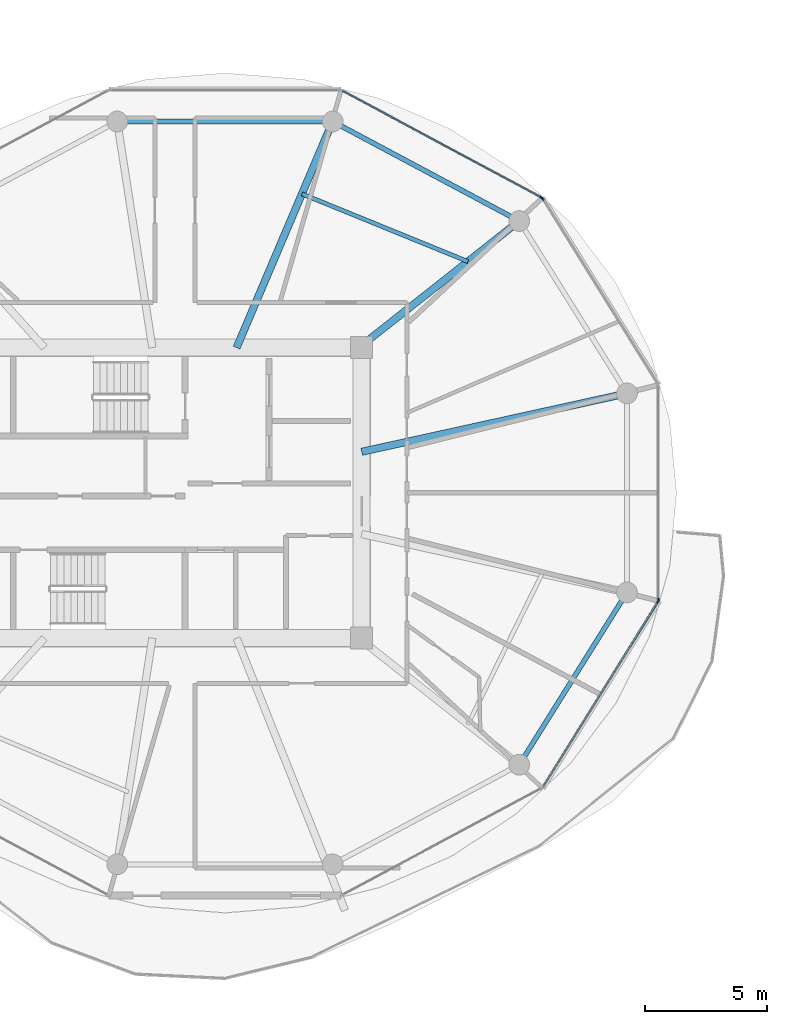
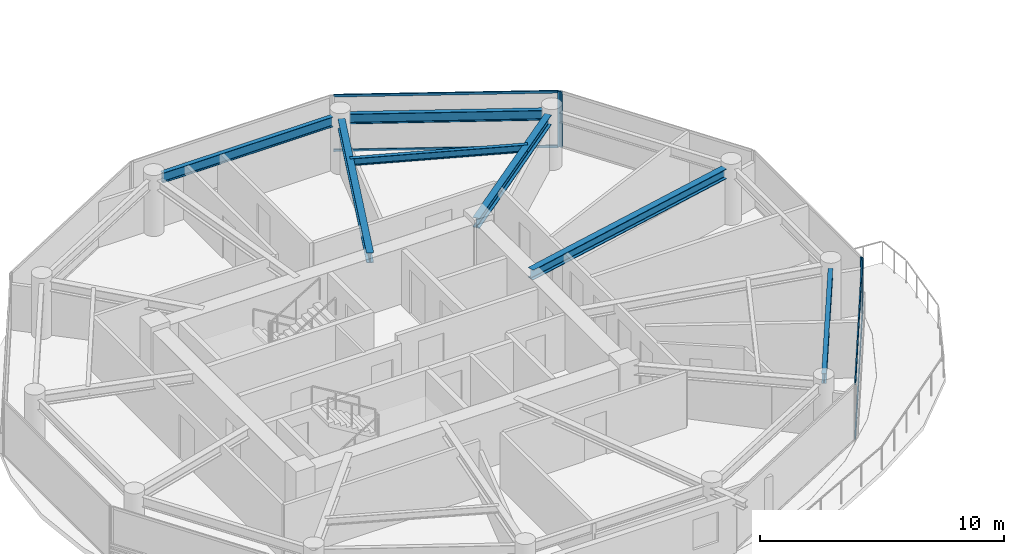
# One storey, part 5 of 24: 8 members, 7 beams, 4 elements without a shape of their own.
"""IFC4 building model written with IfcOpenShell, lengths in metres."""

from ifc_helpers import new_model, si_unit, direction, frame, origin, origin_2d, place, context, subcontext, project, spatial, rectangle, i_section, extrude, source, transform, mapped, material, layer, layer_set, material_profile, profile_set, type_object, type_shapes, element, aggregate, save


model = new_model("IFC4")

# Units and contexts
model_context = context("Model", 3, precision=1e-05, world=origin(), true_north=direction((0.0, 1.0)))
body_context = subcontext(model_context, "Body", "Model", "MODEL_VIEW")
ifc_project = project(units=[si_unit("LENGTHUNIT", "METRE"), si_unit("AREAUNIT", "SQUARE_METRE"), si_unit("VOLUMEUNIT", "CUBIC_METRE"), si_unit("PLANEANGLEUNIT", "RADIAN"), si_unit("MASSUNIT", "GRAM", prefix="KILO")], contexts=[model_context])

# Site, building, storey
site_placement = place(None, origin())
site = spatial("IfcSite", under=ifc_project, at=site_placement, CompositionType="ELEMENT")
building_placement = place(site_placement, origin())
building = spatial("IfcBuilding", under=site, at=building_placement, Name="Norrkilde Senior Care Towers", CompositionType="ELEMENT")
storey_placement = place(building_placement, frame((0.0, 0.0, 117.60009765625)))
storey = spatial("IfcBuildingStorey", under=building, at=storey_placement, Name="L36", CompositionType="ELEMENT", Elevation=117.60009765625)

# Beams
ifc_material_1 = material(Name="Steel S355", Category="steel")
ifc_material_profile_1 = material_profile(ifc_material_1, i_section(OverallWidth=0.199951171875, OverallDepth=0.5, WebThickness=0.01025390625, FlangeThickness=0.01611328125, FilletRadius=0.02099609375, at=origin_2d()), Name="IPE 500")
ifc_profile_set_1 = profile_set([ifc_material_profile_1], Name="Steel S355")
beam_type_1 = type_object("IfcBeamType", Name="Perimeter Ring Spandrel Z2 IPE500", PredefinedType="SPANDREL", material=ifc_profile_set_1)
shared_shape_1 = source(origin(), body_context, "Body", "SweptSolid", [
    extrude(i_section(OverallWidth=0.199951171875, OverallDepth=0.5, WebThickness=0.01025390625, FlangeThickness=0.01611328125, FilletRadius=0.02099609375, at=origin_2d()), origin(), (0.0, 0.0, 1.0), 7.55615234375),
])
beam_1_placement = place(storey_placement, frame((-13.689697265625, -10.810546875, 2.539794921875), z_axis=(0.529981514254, 0.848009194849, 0.0), x_axis=(-0.848009194849, 0.529981514254, 0.0)))
element("IfcBeam", 1, at=beam_1_placement, inside=storey, type_object=beam_type_1, Name="L36 Drum W Perimeter Spandrel 11", PredefinedType="SPANDREL", context=body_context, shape_type="MappedRepresentation", body=[
    mapped(shared_shape_1, transform((0.0, 0.0, 0.0), x_axis=(1.0, 0.0, 0.0), y_axis=(0.0, 1.0, 0.0), z_axis=(0.0, 0.0, 1.0), scale=1.0)),
])
ifc_material_profile_2 = material_profile(ifc_material_1, i_section(OverallWidth=0.300048828125, OverallDepth=0.5, WebThickness=0.014404296875, FlangeThickness=0.028076171875, FilletRadius=0.027099609375, at=origin_2d()), Name="HEB 500")
ifc_profile_set_2 = profile_set([ifc_material_profile_2], Name="Steel S355")
beam_type_2 = type_object("IfcBeamType", Name="Radial Floor Beam Z2 HEB500", PredefinedType="BEAM", material=ifc_profile_set_2)
shared_shape_2 = source(origin(), body_context, "Body", "SweptSolid", [
    extrude(i_section(OverallWidth=0.300048828125, OverallDepth=0.5, WebThickness=0.014404296875, FlangeThickness=0.028076171875, FilletRadius=0.027099609375, at=origin_2d()), origin(), (0.0, 0.0, 1.0), 10.744384765625),
])
beam_2_placement = place(storey_placement, frame((-20.35009765625, 1.683837890625, 2.539794921875), z_axis=(0.976618711422, 0.214978818724, 0.0), x_axis=(-0.214978818724, 0.976618711422, 0.0)))
element("IfcBeam", 2, at=beam_2_placement, inside=storey, type_object=beam_type_2, Name="L36 Drum W Radial Floor Beam 01", PredefinedType="BEAM", context=body_context, shape_type="MappedRepresentation", body=[
    mapped(shared_shape_2, transform((0.0, 0.0, 0.0), x_axis=(1.0, 0.0, 0.0), y_axis=(0.0, 1.0, 0.0), z_axis=(0.0, 0.0, 1.0), scale=1.0)),
])
shared_shape_3 = source(origin(), body_context, "Body", "SweptSolid", [
    extrude(i_section(OverallWidth=0.199951171875, OverallDepth=0.5, WebThickness=0.01025390625, FlangeThickness=0.01611328125, FilletRadius=0.02099609375, at=origin_2d()), origin(), (0.0, 0.0, 1.0), 7.892333984375),
])
beam_3_placement = place(storey_placement, frame((-14.233642578125, 11.318115234375, 2.539794921875), z_axis=(-0.882350372282, 0.47059305194, 0.0), x_axis=(-0.47059305194, -0.882350372282, 0.0)))
element("IfcBeam", 3, at=beam_3_placement, inside=storey, type_object=beam_type_1, Name="L36 Drum W Perimeter Spandrel 02", PredefinedType="SPANDREL", context=body_context, shape_type="MappedRepresentation", body=[
    mapped(shared_shape_3, transform((0.0, 0.0, 0.0), x_axis=(1.0, 0.0, 0.0), y_axis=(0.0, 1.0, 0.0), z_axis=(0.0, 0.0, 1.0), scale=1.0)),
])
shared_shape_4 = source(origin(), body_context, "Body", "SweptSolid", [
    extrude(i_section(OverallWidth=0.300048828125, OverallDepth=0.5, WebThickness=0.014404296875, FlangeThickness=0.028076171875, FilletRadius=0.027099609375, at=origin_2d()), origin(), (0.0, 0.0, 1.0), 7.985595703125),
])
beam_4_placement = place(storey_placement, frame((-20.463623046875, 5.949951171875, 2.539794921875), z_axis=(0.784858505144, 0.619675017169, 0.0), x_axis=(-0.619675017169, 0.784858505144, 0.0)))
element("IfcBeam", 4, at=beam_4_placement, inside=storey, type_object=beam_type_2, Name="L36 Drum W Radial Floor Beam 02", PredefinedType="BEAM", context=body_context, shape_type="MappedRepresentation", body=[
    mapped(shared_shape_4, transform((0.0, 0.0, 0.0), x_axis=(1.0, 0.0, 0.0), y_axis=(0.0, 1.0, 0.0), z_axis=(0.0, 0.0, 1.0), scale=1.0)),
])
shared_shape_5 = source(origin(), body_context, "Body", "SweptSolid", [
    extrude(i_section(OverallWidth=0.199951171875, OverallDepth=0.5, WebThickness=0.01025390625, FlangeThickness=0.01611328125, FilletRadius=0.02099609375, at=origin_2d()), origin(), (0.0, 0.0, 1.0), 8.0556640625),
])
type_shapes(beam_type_1, [shared_shape_1, shared_shape_3, shared_shape_5])
beam_5_placement = place(storey_placement, frame((-21.922119140625, 15.21337890625, 2.539794921875), z_axis=(-1.0, 0.0, 0.0), x_axis=(0.0, -1.0, 0.0)))
element("IfcBeam", 5, at=beam_5_placement, inside=storey, type_object=beam_type_1, Name="L36 Drum W Perimeter Spandrel 03", PredefinedType="SPANDREL", context=body_context, shape_type="MappedRepresentation", body=[
    mapped(shared_shape_5, transform((0.0, 0.0, 0.0), x_axis=(1.0, 0.0, 0.0), y_axis=(0.0, 1.0, 0.0), z_axis=(0.0, 0.0, 1.0), scale=1.0)),
])
shared_shape_6 = source(origin(), body_context, "Body", "SweptSolid", [
    extrude(i_section(OverallWidth=0.300048828125, OverallDepth=0.5, WebThickness=0.014404296875, FlangeThickness=0.028076171875, FilletRadius=0.027099609375, at=origin_2d()), origin(), (0.0, 0.0, 1.0), 9.679443359375),
])
type_shapes(beam_type_2, [shared_shape_2, shared_shape_4, shared_shape_6])
beam_6_placement = place(storey_placement, frame((-25.472412109375, 5.949951171875, 2.539794921875), z_axis=(0.390998033479, 0.920391513333, 0.0), x_axis=(-0.920391513333, 0.390998033479, 0.0)))
element("IfcBeam", 6, at=beam_6_placement, inside=storey, type_object=beam_type_2, Name="L36 Drum W Radial Floor Beam 03", PredefinedType="BEAM", context=body_context, shape_type="MappedRepresentation", body=[
    mapped(shared_shape_6, transform((0.0, 0.0, 0.0), x_axis=(1.0, 0.0, 0.0), y_axis=(0.0, 1.0, 0.0), z_axis=(0.0, 0.0, 1.0), scale=1.0)),
])
ifc_material_profile_3 = material_profile(ifc_material_1, i_section(OverallWidth=0.169921875, OverallDepth=0.360107421875, WebThickness=0.008056640625, FlangeThickness=0.0126953125, FilletRadius=0.01806640625, at=origin_2d()), Name="IPE 360")
ifc_profile_set_3 = profile_set([ifc_material_profile_3], Name="Steel S355")
beam_type_3 = type_object("IfcBeamType", Name="Secondary Floor Joist IPE360", PredefinedType="JOIST", material=ifc_profile_set_3)
shared_shape_7 = source(origin(), body_context, "Body", "SweptSolid", [
    extrude(i_section(OverallWidth=0.169921875, OverallDepth=0.360107421875, WebThickness=0.008056640625, FlangeThickness=0.0126953125, FilletRadius=0.01806640625, at=origin_2d()), origin(), (0.0, 0.0, 1.0), 7.343505859375),
])
type_shapes(beam_type_3, [shared_shape_7])
beam_7_placement = place(storey_placement, frame((-15.99609375, 9.47705078125, 2.60986328125), z_axis=(-0.926021784767, 0.377470070519, 0.0), x_axis=(-0.377470070519, -0.926021784767, 0.0)))
element("IfcBeam", 7, at=beam_7_placement, inside=storey, type_object=beam_type_3, Name="L36 Drum W Secondary Floor Joist 1", PredefinedType="JOIST", context=body_context, shape_type="MappedRepresentation", body=[
    mapped(shared_shape_7, transform((0.0, 0.0, 0.0), x_axis=(1.0, 0.0, 0.0), y_axis=(0.0, 1.0, 0.0), z_axis=(0.0, 0.0, 1.0), scale=1.0)),
])

# Curtain wall, member
ifc_material_2 = material(Name="Triple Low-E Insulated Glazing", Category="glass")
ifc_layer = layer(ifc_material_2, 0.195068359375)
ifc_layer_set = layer_set([ifc_layer], Name="Triple Low-E Insulated Glazing")
curtain_wall_type = type_object("IfcCurtainWallType", Name="CW3 Zone 2 Assisted Living Curtain Wall", PredefinedType="NOTDEFINED", material=ifc_layer_set)
curtain_wall_1_placement = place(storey_placement, origin())
curtain_wall_1 = element("IfcCurtainWall", 8, at=curtain_wall_1_placement, inside=storey, type_object=curtain_wall_type, Name="L36 Drum W Curtain Wall 00", PredefinedType="NOTDEFINED")
ifc_material_3 = material(Name="Anodised Aluminium", Category="aluminium")
ifc_material_profile_4 = material_profile(ifc_material_3, rectangle(XDim=0.06494140625, YDim=0.159912109375, at=origin_2d()), Name="ALU MULL 65x160")
ifc_profile_set_4 = profile_set([ifc_material_profile_4], Name="Anodised Aluminium")
member_type_1 = type_object("IfcMemberType", Name="Curtain Wall Mullion Z1-Z2 65x160", PredefinedType="MULLION", material=ifc_profile_set_4)
shared_shape_8 = source(origin(), body_context, "Body", "SweptSolid", [
    extrude(rectangle(XDim=0.06494140625, YDim=0.159912109375, at=origin_2d()), origin(), (0.0, 0.0, 1.0), 2.789794921875),
])
type_shapes(member_type_1, [shared_shape_8])
member_1_placement = place(storey_placement, frame((-12.936279296875, 12.0498046875, 0.0), z_axis=(0.0, 0.0, 1.0), x_axis=(0.849410171862, 0.527733228002, 0.0)))
member_1 = element("IfcMember", 9, at=member_1_placement, type_object=member_type_1, Name="CW-3 mullion 1", PredefinedType="MULLION", context=body_context, shape_type="MappedRepresentation", body=[
    mapped(shared_shape_8, transform((0.0, 0.0, 0.0), x_axis=(1.0, 0.0, 0.0), y_axis=(0.0, 1.0, 0.0), z_axis=(0.0, 0.0, 1.0), scale=1.0)),
])
aggregate(curtain_wall_1, [member_1])

curtain_wall_2_placement = place(storey_placement, origin())
curtain_wall_2 = element("IfcCurtainWall", 10, at=curtain_wall_2_placement, inside=storey, type_object=curtain_wall_type, Name="L36 Drum W Curtain Wall 01", PredefinedType="NOTDEFINED")
member_2_placement = place(storey_placement, frame((-12.98193359375, 12.0927734375, 0.0), z_axis=(0.0, 0.0, 1.0), x_axis=(0.472769402511, 0.881186184668, 0.0)))
member_2 = element("IfcMember", 11, at=member_2_placement, type_object=member_type_1, Name="CW-3 mullion 2", PredefinedType="MULLION", context=body_context, shape_type="MappedRepresentation", body=[
    mapped(shared_shape_8, transform((0.0, 0.0, 0.0), x_axis=(1.0, 0.0, 0.0), y_axis=(0.0, 1.0, 0.0), z_axis=(0.0, 0.0, 1.0), scale=1.0)),
])

curtain_wall_3_placement = place(storey_placement, origin())
curtain_wall_3 = element("IfcCurtainWall", 12, at=curtain_wall_3_placement, inside=storey, type_object=curtain_wall_type, Name="L36 Drum W Curtain Wall 10", PredefinedType="NOTDEFINED")
member_3_placement = place(storey_placement, frame((-8.21337890625, -4.4482421875, 0.0), z_axis=(0.0, 0.0, 1.0), x_axis=(0.849410171862, -0.527733228002, 0.0)))
member_3 = element("IfcMember", 13, at=member_3_placement, type_object=member_type_1, Name="CW-3 mullion 1", PredefinedType="MULLION", context=body_context, shape_type="MappedRepresentation", body=[
    mapped(shared_shape_8, transform((0.0, 0.0, 0.0), x_axis=(1.0, 0.0, 0.0), y_axis=(0.0, 1.0, 0.0), z_axis=(0.0, 0.0, 1.0), scale=1.0)),
])

curtain_wall_4_placement = place(storey_placement, origin())
curtain_wall_4 = element("IfcCurtainWall", 14, at=curtain_wall_4_placement, inside=storey, type_object=curtain_wall_type, Name="L36 Drum W Curtain Wall 11", PredefinedType="NOTDEFINED")
member_4_placement = place(storey_placement, frame((-8.1962890625, -4.38818359375, 0.0), z_axis=(0.0, 0.0, 1.0), x_axis=(1.0, 0.0, 0.0)))
member_4 = element("IfcMember", 15, at=member_4_placement, type_object=member_type_1, Name="CW-3 mullion 2", PredefinedType="MULLION", context=body_context, shape_type="MappedRepresentation", body=[
    mapped(shared_shape_8, transform((0.0, 0.0, 0.0), x_axis=(1.0, 0.0, 0.0), y_axis=(0.0, 1.0, 0.0), z_axis=(0.0, 0.0, 1.0), scale=1.0)),
])
aggregate(curtain_wall_4, [member_4])

# Member
ifc_material_profile_5 = material_profile(ifc_material_3, rectangle(XDim=0.06005859375, YDim=0.1201171875, at=origin_2d()), Name="ALU TRAN 60x120")
ifc_profile_set_5 = profile_set([ifc_material_profile_5], Name="Anodised Aluminium")
member_type_2 = type_object("IfcMemberType", Name="Curtain Wall Transom Typical 60x120", PredefinedType="USERDEFINED", material=ifc_profile_set_5)
shared_shape_9 = source(origin(), body_context, "Body", "SweptSolid", [
    extrude(rectangle(XDim=0.06005859375, YDim=0.1201171875, at=origin_2d()), origin(), (0.0, 0.0, 1.0), 8.88427734375),
])
member_5_placement = place(storey_placement, frame((-8.23046875, -4.475830078125, 0.02978515625), z_axis=(-0.527749293309, -0.849400190377, 0.0), x_axis=(0.849400190377, -0.527749293309, 0.0)))
member_5 = element("IfcMember", 16, at=member_5_placement, type_object=member_type_2, Name="CW-3 transom 1.1", ObjectType="TRANSOM", PredefinedType="USERDEFINED", context=body_context, shape_type="MappedRepresentation", body=[
    mapped(shared_shape_9, transform((0.0, 0.0, 0.0), x_axis=(1.0, 0.0, 0.0), y_axis=(0.0, 1.0, 0.0), z_axis=(0.0, 0.0, 1.0), scale=1.0)),
])

member_6_placement = place(storey_placement, frame((-8.23046875, -4.475830078125, 2.760009765625), z_axis=(-0.527749293309, -0.849400190377, 0.0), x_axis=(0.849400190377, -0.527749293309, 0.0)))
member_6 = element("IfcMember", 17, at=member_6_placement, type_object=member_type_2, Name="CW-3 transom 1.2", ObjectType="TRANSOM", PredefinedType="USERDEFINED", context=body_context, shape_type="MappedRepresentation", body=[
    mapped(shared_shape_9, transform((0.0, 0.0, 0.0), x_axis=(1.0, 0.0, 0.0), y_axis=(0.0, 1.0, 0.0), z_axis=(0.0, 0.0, 1.0), scale=1.0)),
])

aggregate(curtain_wall_3, [member_3, member_5, member_6])

shared_shape_10 = source(origin(), body_context, "Body", "SweptSolid", [
    extrude(rectangle(XDim=0.06005859375, YDim=0.1201171875, at=origin_2d()), origin(), (0.0, 0.0, 1.0), 9.220458984375),
])
type_shapes(member_type_2, [shared_shape_9, shared_shape_10])
member_7_placement = place(storey_placement, frame((-21.1357421875, 16.46728515625, 0.02978515625), z_axis=(0.881188517866, -0.472765053681, 0.0), x_axis=(0.472765053681, 0.881188517866, 0.0)))
member_7 = element("IfcMember", 18, at=member_7_placement, type_object=member_type_2, Name="CW-3 transom 1.1", ObjectType="TRANSOM", PredefinedType="USERDEFINED", context=body_context, shape_type="MappedRepresentation", body=[
    mapped(shared_shape_10, transform((0.0, 0.0, 0.0), x_axis=(1.0, 0.0, 0.0), y_axis=(0.0, 1.0, 0.0), z_axis=(0.0, 0.0, 1.0), scale=1.0)),
])

member_8_placement = place(storey_placement, frame((-21.1357421875, 16.46728515625, 2.760009765625), z_axis=(0.881188517866, -0.472765053681, 0.0), x_axis=(0.472765053681, 0.881188517866, 0.0)))
member_8 = element("IfcMember", 19, at=member_8_placement, type_object=member_type_2, Name="CW-3 transom 1.2", ObjectType="TRANSOM", PredefinedType="USERDEFINED", context=body_context, shape_type="MappedRepresentation", body=[
    mapped(shared_shape_10, transform((0.0, 0.0, 0.0), x_axis=(1.0, 0.0, 0.0), y_axis=(0.0, 1.0, 0.0), z_axis=(0.0, 0.0, 1.0), scale=1.0)),
])

aggregate(curtain_wall_2, [member_2, member_7, member_8])

save(model, "model.ifc")
